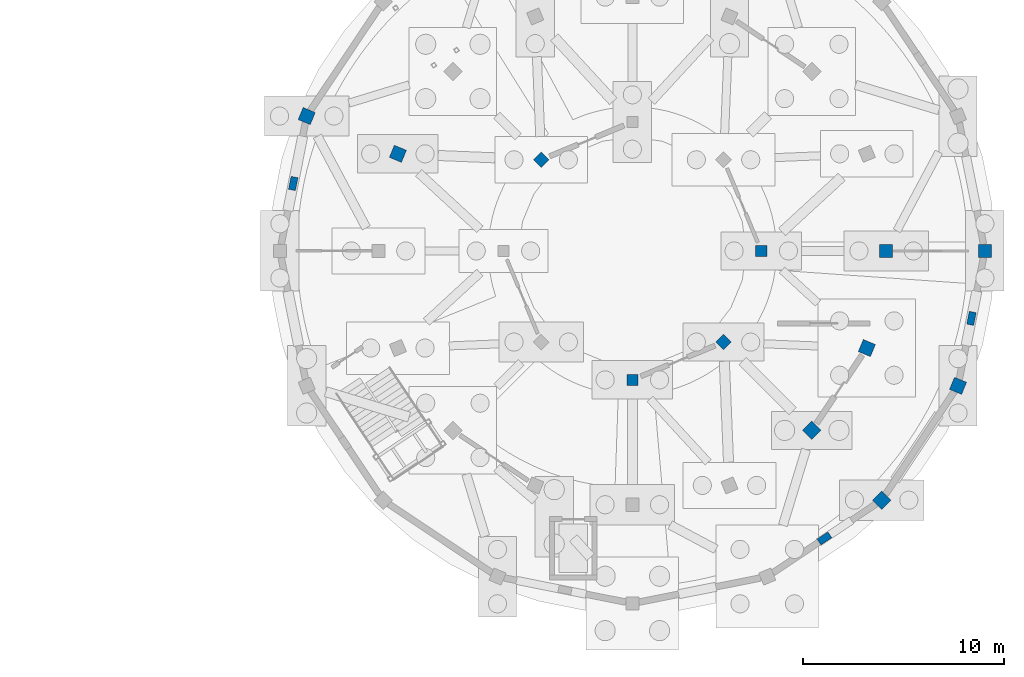
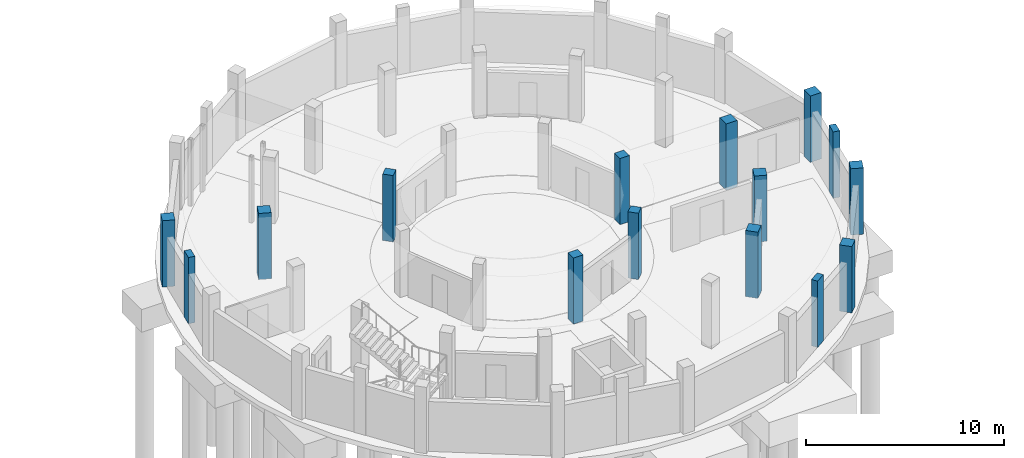
# One storey, part 30 of 58: 15 columns.
"""IFC4 building model written with IfcOpenShell, lengths in metres."""

from ifc_helpers import new_model, si_unit, direction, frame, origin, origin_2d, place, context, subcontext, project, spatial, rectangle, extrude, material, material_profile, profile_set, type_object, element, save


model = new_model("IFC4")

# Units and contexts
model_context = context("Model", 3, precision=1e-05, world=origin(), true_north=direction((0.0, 1.0)))
body_context = subcontext(model_context, "Body", "Model", "MODEL_VIEW")
ifc_project = project(units=[si_unit("LENGTHUNIT", "METRE"), si_unit("AREAUNIT", "SQUARE_METRE"), si_unit("VOLUMEUNIT", "CUBIC_METRE"), si_unit("PLANEANGLEUNIT", "RADIAN"), si_unit("MASSUNIT", "GRAM", prefix="KILO")], contexts=[model_context])

# Site, building, storey
site_placement = place(None, origin())
site = spatial("IfcSite", under=ifc_project, at=site_placement, CompositionType="ELEMENT")
building_placement = place(site_placement, origin())
building = spatial("IfcBuilding", under=site, at=building_placement, Name="Caldaven Crescent School", CompositionType="ELEMENT")
storey_placement = place(building_placement, frame((0.0, 0.0, -4.080078125)))
storey = spatial("IfcBuildingStorey", under=building, at=storey_placement, Name="B1", CompositionType="ELEMENT", Elevation=-4.080078125)

# Columns
ifc_material_1 = material(Name="Concrete C35/45", Category="concrete")
ifc_material_profile_1 = material_profile(ifc_material_1, rectangle(XDim=0.550048828125, YDim=0.550048828125, at=origin_2d()), Name="RC 550x550")
ifc_profile_set_1 = profile_set([ifc_material_profile_1], Name="Concrete C35/45")
column_type_1 = type_object("IfcColumnType", Name="COL-RC55", PredefinedType="COLUMN", material=ifc_profile_set_1)
for number, where, z_axis, x_axis, name in (
    (1, (158.89990234375, 98.5, 0.0), (0.0, 0.0, 1.0), (1.0, 0.0, 0.0), "COL-V1-B1-IN-00"),
    (2, (147.974609375, 103.025390625, 0.0), (0.0, 0.0, 1.0), (-0.707106781187, 0.707106781187, 0.0), "COL-V1-B1-IN-06"),
    (3, (152.5, 92.10009765625, 0.0), (0.0, 0.0, 1.0), (0.0, -1.0, 0.0), "COL-V1-B1-IN-12"),
    (4, (157.025390625, 93.974609375, 0.0), (0.0, 0.0, 1.0), (0.707106781187, -0.707106781187, 0.0), "COL-V1-B1-IN-14"),
):
    element("IfcColumn", number, at=place(storey_placement, frame(where, z_axis=z_axis, x_axis=x_axis)), inside=storey, type_object=column_type_1, Name=name, PredefinedType="COLUMN", context=body_context, shape_type="SweptSolid", body=[
        extrude(rectangle(XDim=0.550048828125, YDim=0.550048828125, at=origin_2d()), origin(), (0.0, 0.0, 1.0), 4.080078125),
    ])
ifc_material_profile_2 = material_profile(ifc_material_1, rectangle(XDim=0.64990234375, YDim=0.64990234375, at=origin_2d()), Name="RC 650x650")
ifc_profile_set_2 = profile_set([ifc_material_profile_2], Name="Concrete C35/45")
column_type_2 = type_object("IfcColumnType", Name="COL-RC65", PredefinedType="COLUMN", material=ifc_profile_set_2)
for number, where, z_axis, x_axis, name in (
    (5, (165.10009765625, 98.5, 0.0), (0.0, 0.0, 1.0), (1.0, 0.0, 0.0), "COL-V1-B1-GAL-00"),
    (6, (170.0, 98.5, 0.0), (0.0, 0.0, 1.0), (1.0, 0.0, 0.0), "COL-V1-B1-OUT-00"),
    (7, (140.859130859375, 103.32177734375, 0.0), (0.0, 0.0, 1.0), (-0.923879532511, 0.382683432365, 0.0), "COL-V1-B1-GAL-07"),
    (8, (136.33203125, 105.197021484375, 0.0), (0.0, 0.0, 1.0), (-0.923879532511, 0.382683432365, 0.0), "COL-V1-B1-OUT-07"),
    (9, (161.409423828125, 89.590576171875, 0.0), (0.0, 0.0, 1.0), (0.707106781187, -0.707106781187, 0.0), "COL-V1-B1-GAL-14"),
    (10, (164.874267578125, 86.125732421875, 0.0), (0.0, 0.0, 1.0), (0.707106781187, -0.707106781187, 0.0), "COL-V1-B1-OUT-14"),
    (11, (164.140869140625, 93.67822265625, 0.0), (0.0, 0.0, 1.0), (0.923879532511, -0.382683432365, 0.0), "COL-V1-B1-GAL-15"),
    (12, (168.66796875, 91.802978515625, 0.0), (0.0, 0.0, 1.0), (0.923879532511, -0.382683432365, 0.0), "COL-V1-B1-OUT-15"),
):
    element("IfcColumn", number, at=place(storey_placement, frame(where, z_axis=z_axis, x_axis=x_axis)), inside=storey, type_object=column_type_2, Name=name, PredefinedType="COLUMN", context=body_context, shape_type="SweptSolid", body=[
        extrude(rectangle(XDim=0.64990234375, YDim=0.64990234375, at=origin_2d()), origin(), (0.0, 0.0, 1.0), 4.080078125),
    ])
ifc_material_2 = material(Name="Concrete C30/37", Category="concrete")
ifc_material_profile_3 = material_profile(ifc_material_2, rectangle(XDim=0.35009765625, YDim=0.64990234375, at=origin_2d()), Name="RC 350x650")
ifc_profile_set_3 = profile_set([ifc_material_profile_3], Name="Concrete C30/37")
column_type_3 = type_object("IfcColumnType", Name="PIL-RC35", PredefinedType="PILASTER", material=ifc_profile_set_3)
for number, where, z_axis, x_axis, name in (
    (13, (135.666015625, 101.848388671875, 0.0), (0.0, 0.0, 1.0), (-0.980785280403, 0.195090322016, 0.0), "PIL-V1-B1-03"),
    (14, (162.03564453125, 84.228759765625, 0.0), (0.0, 0.0, 1.0), (0.55557023302, -0.831469612303, 0.0), "PIL-V1-B1-06"),
    (15, (169.333984375, 95.151611328125, 0.0), (0.0, 0.0, 1.0), (0.980785280403, -0.195090322016, 0.0), "PIL-V1-B1-07"),
):
    element("IfcColumn", number, at=place(storey_placement, frame(where, z_axis=z_axis, x_axis=x_axis)), inside=storey, type_object=column_type_3, Name=name, PredefinedType="PILASTER", context=body_context, shape_type="SweptSolid", body=[
        extrude(rectangle(XDim=0.35009765625, YDim=0.64990234375, at=origin_2d()), origin(), (0.0, 0.0, 1.0), 4.080078125),
    ])

save(model, "model.ifc")
